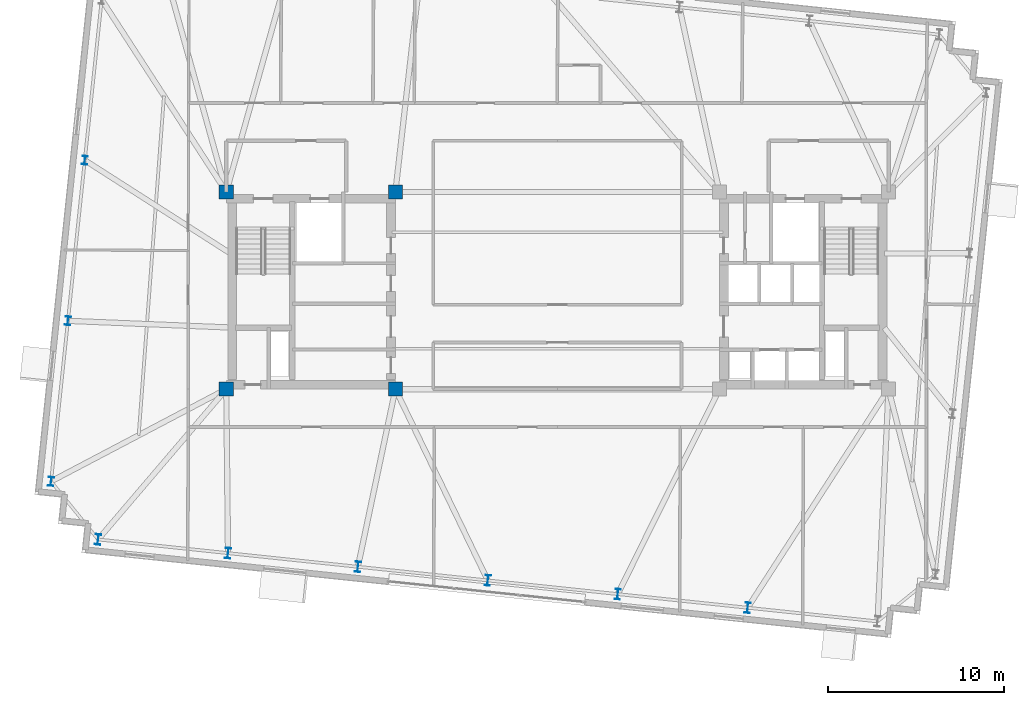
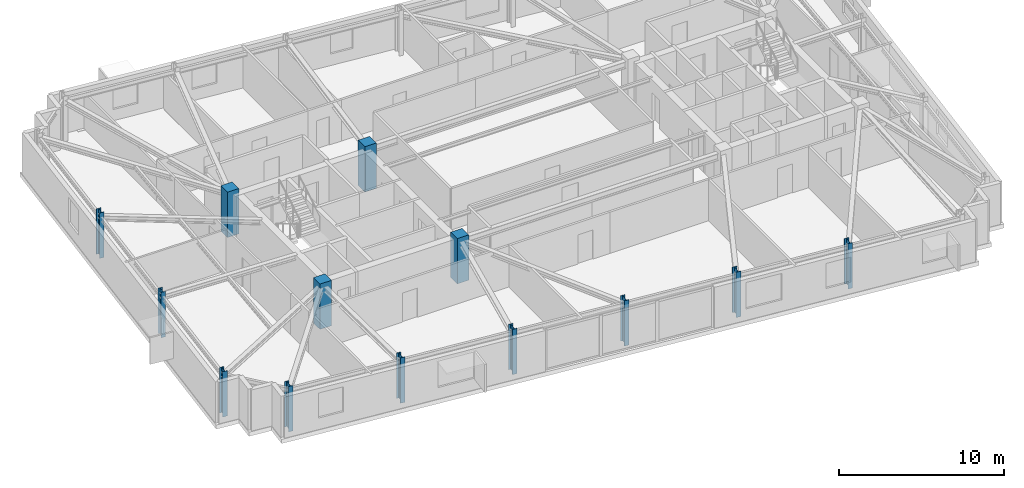
# One storey, part 1 of 13: 13 columns.
"""IFC4 building model written with IfcOpenShell, lengths in metres."""

import ifcopenshell
import ifcopenshell.guid

model = None  # the IFC model being written
_history = None  # IfcOwnerHistory: only IFC2X3 demands one
_inside = {}  # id of a spatial element -> (the spatial element, [elements in it])
_under = {}  # id of a project, library or spatial element -> (it, [spatial elements below it])
_declared = {}  # id of a project -> (the project, [libraries it declares])
_typed = {}  # id of a type object -> (the type object, [elements of that type])
_made_of = {}  # id of a material, layer set ... -> (it, [elements and type objects made of it])


def new_model(schema):
    """Start an empty IFC model of exactly this schema.

    Asked for "IFC4X3", IfcOpenShell would pick the latest addendum, in which some entities
    have other attributes; the version numbers below select the first issue.
    IFC2X3 requires an IfcOwnerHistory on every rooted entity: one is made here for all.
    """
    global model, _history
    if schema == "IFC4X3":
        model = ifcopenshell.file(schema_version=(4, 3, 0, 0))
    else:
        model = ifcopenshell.file(schema=schema)
    _inside.clear()
    _under.clear()
    _declared.clear()
    _typed.clear()
    _made_of.clear()
    _history = None
    if model.schema == "IFC2X3":
        org = make("IfcOrganization", Name="unknown")
        user = make(
            "IfcPersonAndOrganization",
            ThePerson=make("IfcPerson", FamilyName="unknown"),
            TheOrganization=org,
        )
        app = make(
            "IfcApplication",
            ApplicationDeveloper=org,
            Version="unknown",
            ApplicationFullName="unknown",
            ApplicationIdentifier="unknown",
        )
        _history = make(
            "IfcOwnerHistory",
            OwningUser=user,
            OwningApplication=app,
            ChangeAction="ADDED",
            CreationDate=0,
        )
    return model


def make(cls, **values):
    """One entity of the class cls with the attributes given. An attribute that is None is left unset."""
    return model.create_entity(
        cls, **{name: value for name, value in values.items() if value is not None}
    )


def rooted(cls, **values):
    """An entity with a GlobalId (a new one), such as an element, a storey or a relation."""
    return make(cls, GlobalId=ifcopenshell.guid.new(), OwnerHistory=_history, **values)


def si_unit(unit_type, name, prefix=None):
    """IfcSIUnit, for example si_unit("LENGTHUNIT", "METRE", prefix="MILLI")."""
    return make("IfcSIUnit", UnitType=unit_type, Prefix=prefix, Name=name)


def assignment(units):
    """IfcUnitAssignment: the units of a project."""
    return None if units is None else make("IfcUnitAssignment", Units=units)


def point(xyz):
    """IfcCartesianPoint."""
    return None if xyz is None else make("IfcCartesianPoint", Coordinates=xyz)


def direction(xyz):
    """IfcDirection."""
    return None if xyz is None else make("IfcDirection", DirectionRatios=xyz)


def frame(location, z_axis=None, x_axis=None):
    """IfcAxis2Placement3D, a coordinate frame: its origin and axes. An axis left out is left unset."""
    return make(
        "IfcAxis2Placement3D",
        Location=point(location),
        Axis=direction(z_axis),
        RefDirection=direction(x_axis),
    )


def frame_2d(location, x_axis=None):
    """IfcAxis2Placement2D, a coordinate frame in the plane: its origin and x axis."""
    return make(
        "IfcAxis2Placement2D", Location=point(location), RefDirection=direction(x_axis)
    )


def origin():
    """The frame at (0, 0, 0) with its axes left unset."""
    return frame((0.0, 0.0, 0.0))


def origin_2d():
    """The frame at (0, 0) in the plane with its x axis left unset."""
    return frame_2d((0.0, 0.0))


def place(relative_to, where):
    """IfcLocalPlacement: puts the frame where relative to a parent placement (None: the world)."""
    return make(
        "IfcLocalPlacement", PlacementRelTo=relative_to, RelativePlacement=where
    )


def context(
    kind, dimensions, precision=None, world=None, true_north=None, identifier=None
):
    """IfcGeometricRepresentationContext, for example the 3D "Model" context."""
    return make(
        "IfcGeometricRepresentationContext",
        ContextIdentifier=identifier,
        ContextType=kind,
        CoordinateSpaceDimension=dimensions,
        Precision=precision,
        WorldCoordinateSystem=world,
        TrueNorth=true_north,
    )


def subcontext(parent, identifier, kind, view, scale=None):
    """IfcGeometricRepresentationSubContext, for example "Body" below "Model"."""
    return make(
        "IfcGeometricRepresentationSubContext",
        ContextIdentifier=identifier,
        ContextType=kind,
        ParentContext=parent,
        TargetScale=scale,
        TargetView=view,
    )


def project(units=None, contexts=None):
    """IfcProject with its units and contexts."""
    return rooted(
        "IfcProject",
        Name="project",
        RepresentationContexts=contexts,
        UnitsInContext=assignment(units),
    )


def spatial(cls, under=None, at=None, **own):
    """A site, building, storey or space (cls), placed at a placement, below another one or the project."""
    s = rooted(cls, ObjectPlacement=at, **own)
    if under is not None:
        _under.setdefault(under.id(), (under, []))[1].append(s)
    return s


def profile(cls, at=None, kind="AREA", **sizes):
    """A parametric profile (cls). Its sizes go by their IFC names, for example OverallWidth=200.0."""
    return make(cls, ProfileType=kind, Position=at, **sizes)


def rectangle(**sizes):
    """IfcRectangleProfileDef."""
    return profile("IfcRectangleProfileDef", **sizes)


def i_section(**sizes):
    """IfcIShapeProfileDef."""
    return profile("IfcIShapeProfileDef", **sizes)


def extrude(swept, where, along, depth):
    """IfcExtrudedAreaSolid: the profile swept, set in the frame where, extruded along a direction by depth."""
    return make(
        "IfcExtrudedAreaSolid",
        SweptArea=swept,
        Position=where,
        ExtrudedDirection=direction(along),
        Depth=depth,
    )


def shape(context_of_items, identifier, shape_type, items):
    """IfcShapeRepresentation: the items that make up one representation, for example the "Body"."""
    return make(
        "IfcShapeRepresentation",
        ContextOfItems=context_of_items,
        RepresentationIdentifier=identifier,
        RepresentationType=shape_type,
        Items=items,
    )


def material(Name=None, Category=None):
    """IfcMaterial."""
    return make("IfcMaterial", Name=Name, Category=Category)


def material_profile(
    of_material, cross_section, Name=None, Category=None, Priority=None
):
    """IfcMaterialProfile: a cross section and its material."""
    return make(
        "IfcMaterialProfile",
        Name=Name,
        Material=of_material,
        Profile=cross_section,
        Priority=Priority,
        Category=Category,
    )


def profile_set(profiles, Name=None, composite=None):
    """IfcMaterialProfileSet."""
    return make(
        "IfcMaterialProfileSet",
        Name=Name,
        MaterialProfiles=profiles,
        CompositeProfile=composite,
    )


def made_of(thing, what):
    """Note that an element or type object is made of a material, layer set ...; save() writes the relation."""
    if what is not None:
        _made_of.setdefault(what.id(), (what, []))[1].append(thing)
    return thing


def type_object(cls, material=None, **own):
    """A type object (cls), such as IfcWallType, which elements share."""
    return made_of(rooted(cls, **own), material)


def element(
    cls,
    number,
    at=None,
    inside=None,
    cuts=None,
    type_object=None,
    material=None,
    context=None,
    identifier="Body",
    shape_type=None,
    held_by="IfcProductDefinitionShape",
    body=None,
    shapes=None,
    **own,
):
    """One element of the class cls, such as IfcWall. Its Tag is "e" and its number.

    at: its placement. inside: the storey or other place that contains it. cuts: it is an
    opening in that element (IfcRelVoidsElement). A single representation is given by context,
    identifier, shape_type and body (its items); several are given by shapes. held_by: the class
    of the entity that holds the representations. save() writes the other relations.
    """
    e = rooted(cls, Tag="e%d" % number, ObjectPlacement=at, **own)
    if body is not None:
        shapes = [shape(context, identifier, shape_type, body)]
    if shapes is not None:
        e.Representation = make(held_by, Representations=shapes)
    if inside is not None:
        _inside.setdefault(inside.id(), (inside, []))[1].append(e)
    if cuts is not None:
        rooted(
            "IfcRelVoidsElement", RelatingBuildingElement=cuts, RelatedOpeningElement=e
        )
    if type_object is not None:
        _typed.setdefault(type_object.id(), (type_object, []))[1].append(e)
    return made_of(e, material)


def aggregate(whole, parts):
    """IfcRelAggregates: a whole, such as a stair, and the parts it consists of."""
    return rooted("IfcRelAggregates", RelatingObject=whole, RelatedObjects=parts)


def save(model, path):
    """Write the relations noted so far, then the file.

    IfcRelAggregates (storeys below a building ...), IfcRelContainedInSpatialStructure (elements
    in a storey), IfcRelDefinesByType, IfcRelAssociatesMaterial and IfcRelDeclares: one each for
    every whole, place, type object, material and project.
    """
    for whole, parts in _under.values():
        aggregate(whole, parts)
    for where, things in _inside.values():
        rooted(
            "IfcRelContainedInSpatialStructure",
            RelatedElements=things,
            RelatingStructure=where,
        )
    for kind, things in _typed.values():
        rooted("IfcRelDefinesByType", RelatedObjects=things, RelatingType=kind)
    for what, things in _made_of.values():
        rooted("IfcRelAssociatesMaterial", RelatedObjects=things, RelatingMaterial=what)
    for by, libraries in _declared.values():
        rooted("IfcRelDeclares", RelatingContext=by, RelatedDefinitions=libraries)
    model.write(path)


model = new_model("IFC4")

# Units and contexts
model_context = context("Model", 3, precision=1e-05, world=origin(), true_north=direction((0.0, 1.0)))
body_context = subcontext(model_context, "Body", "Model", "MODEL_VIEW")
ifc_project = project(units=[si_unit("LENGTHUNIT", "METRE"), si_unit("AREAUNIT", "SQUARE_METRE"), si_unit("VOLUMEUNIT", "CUBIC_METRE"), si_unit("PLANEANGLEUNIT", "RADIAN"), si_unit("MASSUNIT", "GRAM", prefix="KILO")], contexts=[model_context])

# Site, building, storey
site_placement = place(None, origin())
site = spatial("IfcSite", under=ifc_project, at=site_placement, CompositionType="ELEMENT")
building_placement = place(site_placement, origin())
building = spatial("IfcBuilding", under=site, at=building_placement, Name="Qobustan Lattice House", CompositionType="ELEMENT")
storey_placement = place(building_placement, frame((0.0, 0.0, 199.75)))
storey = spatial("IfcBuildingStorey", under=building, at=storey_placement, Name="L56", CompositionType="ELEMENT", Elevation=199.75)

# Columns
ifc_material_1 = material(Name="Concrete C50/60", Category="concrete")
ifc_material_profile_1 = material_profile(ifc_material_1, rectangle(XDim=0.800048828125, YDim=0.800048828125, at=origin_2d()), Name="RC800x800")
ifc_profile_set_1 = profile_set([ifc_material_profile_1], Name="Concrete C50/60")
column_type_1 = type_object("IfcColumnType", Name="COL-RC-800", PredefinedType="COLUMN", material=ifc_profile_set_1)
for number, where, z_axis, x_axis, name in (
    (1, (-18.800048828125, -5.60009765625, 0.0), (0.0, 0.0, 1.0), (1.0, 0.0, 0.0), "L56 core mega-column CW-SW"),
    (2, (-18.800048828125, 5.60009765625, 0.0), (0.0, 0.0, 1.0), (1.0, 0.0, 0.0), "L56 core mega-column CW-NW"),
    (3, (-9.199951171875, -5.60009765625, 0.0), (0.0, 0.0, 1.0), (1.0, 0.0, 0.0), "L56 core mega-column CW-SE"),
    (4, (-9.199951171875, 5.60009765625, 0.0), (0.0, 0.0, 1.0), (1.0, 0.0, 0.0), "L56 core mega-column CW-NE"),
):
    element("IfcColumn", number, at=place(storey_placement, frame(where, z_axis=z_axis, x_axis=x_axis)), inside=storey, type_object=column_type_1, Name=name, PredefinedType="COLUMN", context=body_context, shape_type="SweptSolid", body=[
        extrude(rectangle(XDim=0.800048828125, YDim=0.800048828125, at=origin_2d()), origin(), (0.0, 0.0, 1.0), 3.35009765625),
    ])
ifc_material_2 = material(Name="Steel S355", Category="steel")
ifc_material_profile_2 = material_profile(ifc_material_2, i_section(OverallWidth=0.300048828125, OverallDepth=0.5, WebThickness=0.014404296875, FlangeThickness=0.028076171875, FilletRadius=0.027099609375, at=origin_2d()), Name="HEB500")
ifc_profile_set_2 = profile_set([ifc_material_profile_2], Name="Steel S355")
column_type_2 = type_object("IfcColumnType", Name="COL-ST-HEB500", PredefinedType="COLUMN", material=ifc_profile_set_2)
for number, where, z_axis, x_axis, name in (
    (5, (-26.83251953125, 7.397705078125, 0.0), (0.0, 0.0, 1.0), (0.994521895368, -0.104528463268, 0.0), "L56 B4 perimeter column W2"),
    (6, (-27.790771484375, -1.718994140625, 0.0), (0.0, 0.0, 1.0), (0.994521895368, -0.104528463268, 0.0), "L56 B4 perimeter column W3"),
    (7, (-28.748779296875, -10.835205078125, 0.0), (0.0, 0.0, 1.0), (0.994521895368, -0.104528463268, 0.0), "L56 B4 perimeter column W4"),
):
    element("IfcColumn", number, at=place(storey_placement, frame(where, z_axis=z_axis, x_axis=x_axis)), inside=storey, type_object=column_type_2, Name=name, PredefinedType="COLUMN", context=body_context, shape_type="SweptSolid", body=[
        extrude(i_section(OverallWidth=0.300048828125, OverallDepth=0.5, WebThickness=0.014404296875, FlangeThickness=0.028076171875, FilletRadius=0.027099609375, at=origin_2d()), origin(), (0.0, 0.0, 1.0), 3.35009765625),
    ])
ifc_material_3 = material(Name="Steel S355", Category="steel")
ifc_material_profile_3 = material_profile(ifc_material_3, i_section(OverallWidth=0.300048828125, OverallDepth=0.60009765625, WebThickness=0.015380859375, FlangeThickness=0.030029296875, FilletRadius=0.027099609375, at=origin_2d()), Name="HEB600")
ifc_profile_set_3 = profile_set([ifc_material_profile_3], Name="Steel S355")
column_type_3 = type_object("IfcColumnType", Name="COL-ST-HEB600", PredefinedType="COLUMN", material=ifc_profile_set_3)
for number, where, z_axis, x_axis, name in (
    (8, (-26.0791015625, -14.132568359375, 0.0), (0.0, 0.0, 1.0), (0.994521895368, -0.104528463268, 0.0), "L56 B4 perimeter column S1"),
    (9, (-18.702880859375, -14.90771484375, 0.0), (0.0, 0.0, 1.0), (0.994521895368, -0.104528463268, 0.0), "L56 B4 perimeter column S2"),
    (10, (-11.326904296875, -15.68310546875, 0.0), (0.0, 0.0, 1.0), (0.994521895368, -0.104528463268, 0.0), "L56 B4 perimeter column S3"),
    (11, (-3.950927734375, -16.458251953125, 0.0), (0.0, 0.0, 1.0), (0.994521895368, -0.104528463268, 0.0), "L56 B4 perimeter column S4"),
    (12, (3.42529296875, -17.2333984375, 0.0), (0.0, 0.0, 1.0), (0.994521895368, -0.104528463268, 0.0), "L56 B4 perimeter column S5"),
    (13, (10.80126953125, -18.0087890625, 0.0), (0.0, 0.0, 1.0), (0.994521895368, -0.104528463268, 0.0), "L56 B4 perimeter column S6"),
):
    element("IfcColumn", number, at=place(storey_placement, frame(where, z_axis=z_axis, x_axis=x_axis)), inside=storey, type_object=column_type_3, Name=name, PredefinedType="COLUMN", context=body_context, shape_type="SweptSolid", body=[
        extrude(i_section(OverallWidth=0.300048828125, OverallDepth=0.60009765625, WebThickness=0.015380859375, FlangeThickness=0.030029296875, FilletRadius=0.027099609375, at=origin_2d()), origin(), (0.0, 0.0, 1.0), 3.35009765625),
    ])

save(model, "model.ifc")
